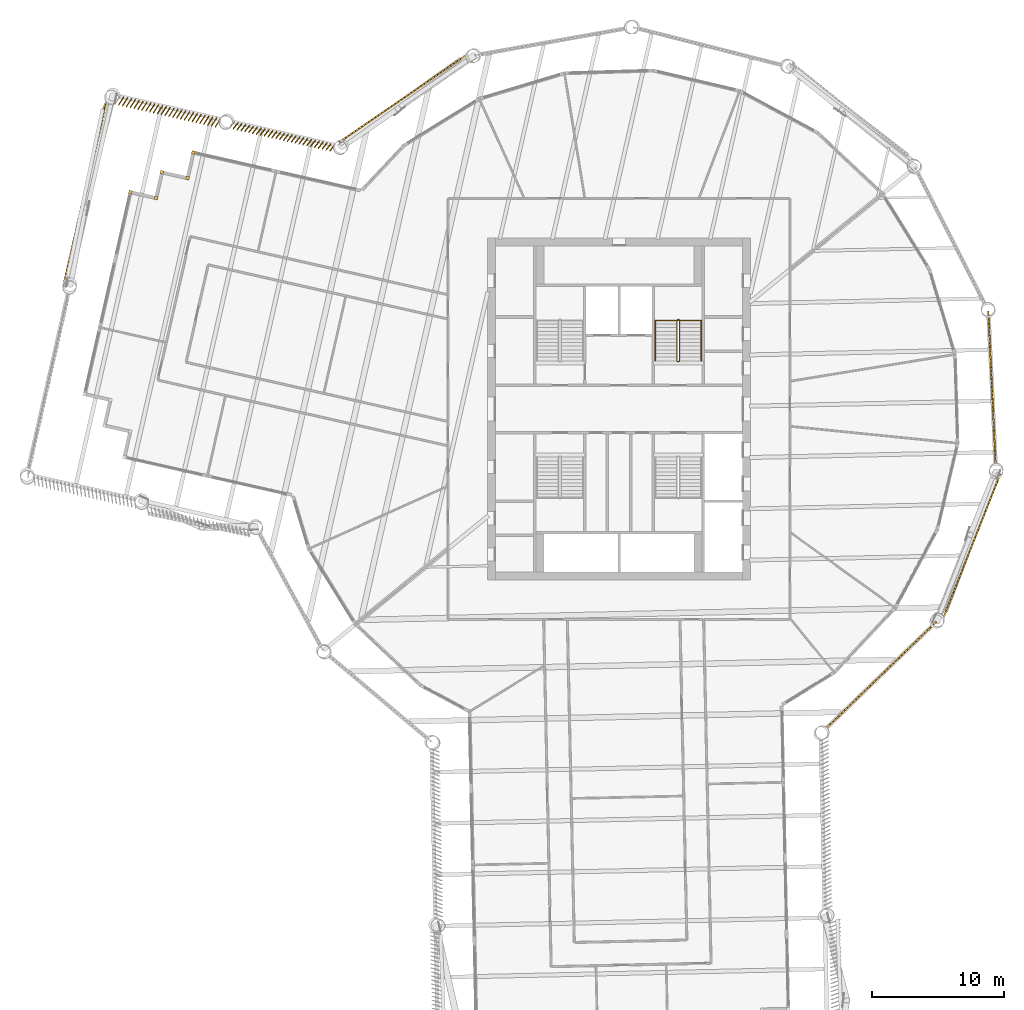
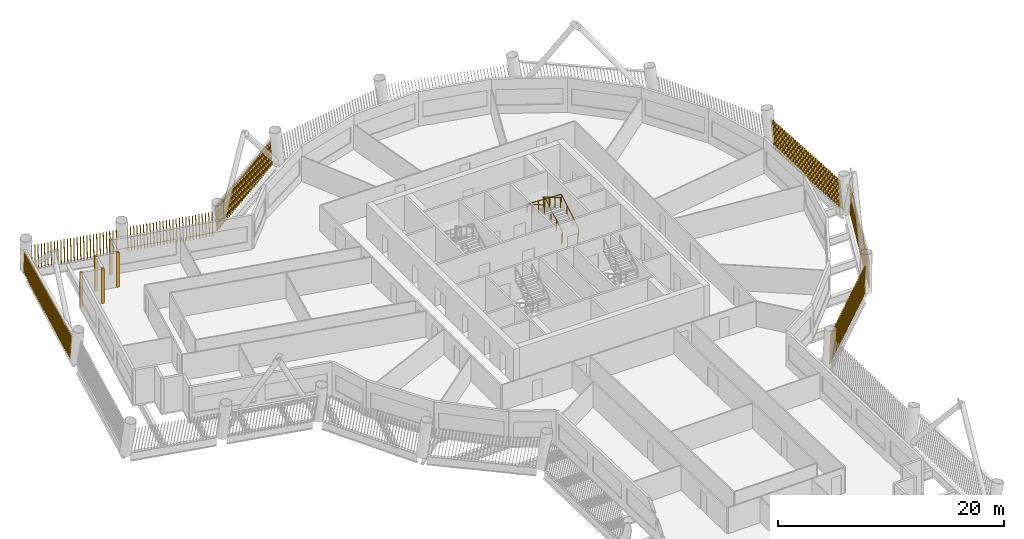
# One storey, part 21 of 23: 12 shading devices, 2 railings.
"""IFC4 building model written with IfcOpenShell, lengths in metres."""

from ifc_helpers import new_model, si_unit, direction, frame, frame_2d, origin, origin_2d, place, context, subcontext, project, spatial, rectangle, circle, composite_profile, extrude, material, type_object, element, save


model = new_model("IFC4")

# Units and contexts
model_context = context("Model", 3, precision=1e-05, world=origin(), true_north=direction((0.0, 1.0)))
body_context = subcontext(model_context, "Body", "Model", "MODEL_VIEW")
ifc_project = project(units=[si_unit("LENGTHUNIT", "METRE"), si_unit("AREAUNIT", "SQUARE_METRE"), si_unit("VOLUMEUNIT", "CUBIC_METRE"), si_unit("PLANEANGLEUNIT", "RADIAN"), si_unit("MASSUNIT", "GRAM", prefix="KILO")], contexts=[model_context])

# Site, building, storey
site_placement = place(None, origin())
site = spatial("IfcSite", under=ifc_project, at=site_placement, CompositionType="ELEMENT")
building_placement = place(site_placement, origin())
building = spatial("IfcBuilding", under=site, at=building_placement, Name="Tarsis Ring Headquarters", CompositionType="ELEMENT")
storey_placement = place(building_placement, frame((0.0, 0.0, 231.60009765625)))
storey = spatial("IfcBuildingStorey", under=building, at=storey_placement, Name="L54", CompositionType="ELEMENT", Elevation=231.60009765625)

# Railings
ifc_material_1 = material(Name="Steel S355", Category="steel")
railing_type_1 = type_object("IfcRailingType", Name="Core stair guard 1100", PredefinedType="GUARDRAIL", material=ifc_material_1)
railing_1_placement = place(storey_placement, frame((4.4599609375, 3.610107421875, 0.0)))
element("IfcRailing", 1, at=railing_1_placement, inside=storey, type_object=railing_type_1, Name="L54 ST2 stair guard 1", PredefinedType="GUARDRAIL", context=body_context, shape_type="SweptSolid", body=[
    extrude(circle(Radius=0.02392578125, at=origin_2d()), frame((0.0, 0.0, 1.076171875), z_axis=(1.0, 0.0, 0.0), x_axis=(0.0, 1.0, 0.0)), (0.0, 0.0, 1.0), 0.080078125),
    extrude(circle(Radius=0.02392578125, at=origin_2d()), frame((0.080078125, 0.0, 1.076171875), z_axis=(0.282693820306, 0.281314826061, 0.917031173188), x_axis=(-0.705375805398, 0.708833529934, 0.0)), (0.0, 0.0, 1.0), 0.177001953125),
    extrude(circle(Radius=0.02392578125, at=origin_2d()), frame((0.130126953125, 0.0498046875, 1.23828125), z_axis=(0.0, 0.864890721111, 0.501960198159), x_axis=(-1.0, 0.0, 0.0)), (0.0, 0.0, 1.0), 3.561279296875),
    extrude(circle(Radius=0.02392578125, at=origin_2d()), frame((0.130126953125, 3.1298828125, 3.02587890625), z_axis=(-0.707106781187, 0.707106781187, 0.0), x_axis=(-0.707106781187, -0.707106781187, 0.0)), (0.0, 0.0, 1.0), 0.07080078125),
    extrude(circle(Radius=0.02392578125, at=origin_2d()), frame((0.080078125, 3.179931640625, 3.02587890625), z_axis=(-1.0, 0.0, 0.0), x_axis=(0.0, -1.0, 0.0)), (0.0, 0.0, 1.0), 0.080078125),
    extrude(circle(Radius=0.02392578125, at=origin_2d()), frame((0.0, 3.179931640625, 3.02587890625), z_axis=(-0.282583949758, -0.282583949758, 0.916674763849), x_axis=(0.707106781187, -0.707106781187, 0.0)), (0.0, 0.0, 1.0), 0.177001953125),
    extrude(circle(Radius=0.02392578125, at=origin_2d()), frame((-0.050048828125, 3.1298828125, 3.1884765625), z_axis=(0.0, -0.864890721111, 0.501960198159), x_axis=(1.0, 0.0, 0.0)), (0.0, 0.0, 1.0), 3.561279296875),
    extrude(circle(Radius=0.02099609375, at=origin_2d()), origin(), (0.0, 0.0, 1.0), 1.052001953125),
    extrude(circle(Radius=0.02099609375, at=origin_2d()), frame((0.080078125, 0.0, 0.0)), (0.0, 0.0, 1.0), 1.052001953125),
    extrude(circle(Radius=0.02099609375, at=origin_2d()), frame((0.130126953125, 0.0498046875, 0.162353515625)), (0.0, 0.0, 1.0), 1.052001953125),
    extrude(circle(Radius=0.02099609375, at=origin_2d()), frame((0.130126953125, 1.076416015625, 0.75830078125)), (0.0, 0.0, 1.0), 1.052001953125),
    extrude(circle(Radius=0.02099609375, at=origin_2d()), frame((0.130126953125, 2.103271484375, 1.35400390625)), (0.0, 0.0, 1.0), 1.052001953125),
    extrude(circle(Radius=0.02099609375, at=origin_2d()), frame((0.130126953125, 3.1298828125, 1.949951171875)), (0.0, 0.0, 1.0), 1.052001953125),
    extrude(circle(Radius=0.02099609375, at=origin_2d()), frame((0.080078125, 3.179931640625, 1.949951171875)), (0.0, 0.0, 1.0), 1.052001953125),
    extrude(circle(Radius=0.02099609375, at=origin_2d()), frame((0.0, 3.179931640625, 1.949951171875)), (0.0, 0.0, 1.0), 1.052001953125),
    extrude(circle(Radius=0.02099609375, at=origin_2d()), frame((-0.050048828125, 3.1298828125, 2.1123046875)), (0.0, 0.0, 1.0), 1.052001953125),
    extrude(circle(Radius=0.02099609375, at=origin_2d()), frame((-0.050048828125, 2.103271484375, 2.708251953125)), (0.0, 0.0, 1.0), 1.052001953125),
    extrude(circle(Radius=0.02099609375, at=origin_2d()), frame((-0.050048828125, 1.076416015625, 3.303955078125)), (0.0, 0.0, 1.0), 1.052001953125),
    extrude(circle(Radius=0.02099609375, at=origin_2d()), frame((-0.050048828125, 0.0498046875, 3.89990234375)), (0.0, 0.0, 1.0), 1.052001953125),
])
railing_type_2 = type_object("IfcRailingType", Name="Core stair handrail 900", PredefinedType="HANDRAIL", material=ifc_material_1)
railing_2_placement = place(storey_placement, frame((6.25, 3.659912109375, 0.162353515625)))
element("IfcRailing", 2, at=railing_2_placement, inside=storey, type_object=railing_type_2, Name="L54 ST2 stair handrail 1", PredefinedType="HANDRAIL", context=body_context, shape_type="SweptSolid", body=[
    extrude(circle(Radius=0.02392578125, at=origin_2d()), frame((0.0, 0.0, 0.8759765625), z_axis=(0.0, 0.864890721111, 0.501960198159), x_axis=(-1.0, 0.0, 0.0)), (0.0, 0.0, 1.0), 3.561279296875),
    extrude(circle(Radius=0.02392578125, at=origin_2d()), frame((0.0, 3.080078125, 2.66357421875), z_axis=(-0.998925869279, 0.0, 0.04633689335), x_axis=(0.0, -1.0, 0.0)), (0.0, 0.0, 1.0), 3.503662109375),
    extrude(circle(Radius=0.02392578125, at=origin_2d()), frame((-3.5, 3.080078125, 2.82568359375), z_axis=(0.0, -0.864890721111, 0.501960198159), x_axis=(1.0, 0.0, 0.0)), (0.0, 0.0, 1.0), 3.561279296875),
    extrude(circle(Radius=0.02099609375, at=origin_2d()), origin(), (0.0, 0.0, 1.0), 0.851806640625),
    extrude(circle(Radius=0.02099609375, at=origin_2d()), frame((0.0, 1.026611328125, 0.595947265625)), (0.0, 0.0, 1.0), 0.851806640625),
    extrude(circle(Radius=0.02099609375, at=origin_2d()), frame((0.0, 2.053466796875, 1.191650390625)), (0.0, 0.0, 1.0), 0.851806640625),
    extrude(circle(Radius=0.02099609375, at=origin_2d()), frame((0.0, 3.080078125, 1.78759765625)), (0.0, 0.0, 1.0), 0.851806640625),
    extrude(circle(Radius=0.02099609375, at=origin_2d()), frame((-1.166748046875, 3.080078125, 1.841796875)), (0.0, 0.0, 1.0), 0.851806640625),
    extrude(circle(Radius=0.02099609375, at=origin_2d()), frame((-2.333251953125, 3.080078125, 1.895751953125)), (0.0, 0.0, 1.0), 0.851806640625),
    extrude(circle(Radius=0.02099609375, at=origin_2d()), frame((-3.5, 3.080078125, 1.949951171875)), (0.0, 0.0, 1.0), 0.851806640625),
    extrude(circle(Radius=0.02099609375, at=origin_2d()), frame((-3.5, 2.053466796875, 2.5458984375)), (0.0, 0.0, 1.0), 0.851806640625),
    extrude(circle(Radius=0.02099609375, at=origin_2d()), frame((-3.5, 1.026611328125, 3.1416015625)), (0.0, 0.0, 1.0), 0.851806640625),
    extrude(circle(Radius=0.02099609375, at=origin_2d()), frame((-3.5, 0.0, 3.737548828125)), (0.0, 0.0, 1.0), 0.851806640625),
])

# Shading devices
ifc_material_2 = material(Name="Terracotta baguette", Category="masonry")
shading_device_type_1 = type_object("IfcShadingDeviceType", Name="Terracotta baguette screen", PredefinedType="USERDEFINED", material=ifc_material_2)
shading_device_1_placement = place(storey_placement, frame((15.69677734375, -24.32177734375, 0.0), z_axis=(0.0, 0.0, 1.0), x_axis=(0.718849701574, 0.695170916983, 0.0)))
element("IfcShadingDevice", 3, at=shading_device_1_placement, inside=storey, type_object=shading_device_type_1, Name="Baguette screen L54-07", ObjectType="Terracotta baguette screen", PredefinedType="USERDEFINED", context=body_context, shape_type="SweptSolid", body=[
    extrude(composite_profile([rectangle(XDim=0.06005859375, YDim=0.1201171875, at=frame_2d((0.030029296875, 0.0))), rectangle(XDim=0.06005859375, YDim=0.1201171875, at=frame_2d((0.33251953125, 0.0))), rectangle(XDim=0.06005859375, YDim=0.1201171875, at=frame_2d((0.634765625, 0.0))), rectangle(XDim=0.06005859375, YDim=0.1201171875, at=frame_2d((0.937255859375, 0.0))), rectangle(XDim=0.06005859375, YDim=0.1201171875, at=frame_2d((1.239501953125, 0.0))), rectangle(XDim=0.06005859375, YDim=0.1201171875, at=frame_2d((1.5419921875, 0.0))), rectangle(XDim=0.06005859375, YDim=0.1201171875, at=frame_2d((1.844482421875, 0.0))), rectangle(XDim=0.06005859375, YDim=0.1201171875, at=frame_2d((2.146728515625, 0.0))), rectangle(XDim=0.06005859375, YDim=0.1201171875, at=frame_2d((2.44921875, 0.0))), rectangle(XDim=0.06005859375, YDim=0.1201171875, at=frame_2d((2.751708984375, 0.0))), rectangle(XDim=0.06005859375, YDim=0.1201171875, at=frame_2d((3.053955078125, 0.0))), rectangle(XDim=0.06005859375, YDim=0.1201171875, at=frame_2d((3.3564453125, 0.0))), rectangle(XDim=0.06005859375, YDim=0.1201171875, at=frame_2d((3.65869140625, 0.0))), rectangle(XDim=0.06005859375, YDim=0.1201171875, at=frame_2d((3.961181640625, 0.0))), rectangle(XDim=0.06005859375, YDim=0.1201171875, at=frame_2d((4.263671875, 0.0))), rectangle(XDim=0.06005859375, YDim=0.1201171875, at=frame_2d((4.56591796875, 0.0))), rectangle(XDim=0.06005859375, YDim=0.1201171875, at=frame_2d((4.868408203125, 0.0))), rectangle(XDim=0.06005859375, YDim=0.1201171875, at=frame_2d((5.1708984375, 0.0))), rectangle(XDim=0.06005859375, YDim=0.1201171875, at=frame_2d((5.47314453125, 0.0))), rectangle(XDim=0.06005859375, YDim=0.1201171875, at=frame_2d((5.775634765625, 0.0))), rectangle(XDim=0.06005859375, YDim=0.1201171875, at=frame_2d((6.077880859375, 0.0))), rectangle(XDim=0.06005859375, YDim=0.1201171875, at=frame_2d((6.38037109375, 0.0))), rectangle(XDim=0.06005859375, YDim=0.1201171875, at=frame_2d((6.682861328125, 0.0))), rectangle(XDim=0.06005859375, YDim=0.1201171875, at=frame_2d((6.985107421875, 0.0))), rectangle(XDim=0.06005859375, YDim=0.1201171875, at=frame_2d((7.28759765625, 0.0))), rectangle(XDim=0.06005859375, YDim=0.1201171875, at=frame_2d((7.590087890625, 0.0))), rectangle(XDim=0.06005859375, YDim=0.1201171875, at=frame_2d((7.892333984375, 0.0))), rectangle(XDim=0.06005859375, YDim=0.1201171875, at=frame_2d((8.19482421875, 0.0))), rectangle(XDim=0.06005859375, YDim=0.1201171875, at=frame_2d((8.4970703125, 0.0))), rectangle(XDim=0.06005859375, YDim=0.1201171875, at=frame_2d((8.799560546875, 0.0))), rectangle(XDim=0.06005859375, YDim=0.1201171875, at=frame_2d((9.10205078125, 0.0))), rectangle(XDim=0.06005859375, YDim=0.1201171875, at=frame_2d((9.404296875, 0.0))), rectangle(XDim=0.06005859375, YDim=0.1201171875, at=frame_2d((9.706787109375, 0.0))), rectangle(XDim=0.06005859375, YDim=0.1201171875, at=frame_2d((10.00927734375, 0.0))), rectangle(XDim=0.06005859375, YDim=0.1201171875, at=frame_2d((10.3115234375, 0.0))), rectangle(XDim=0.06005859375, YDim=0.1201171875, at=frame_2d((10.614013671875, 0.0))), rectangle(XDim=0.06005859375, YDim=0.1201171875, at=frame_2d((10.916259765625, 0.0))), rectangle(XDim=0.06005859375, YDim=0.1201171875, at=frame_2d((11.21875, 0.0)))]), origin(), (0.159216960244, 0.001336075171, 0.987242713052), 2.988037109375),
])
shading_device_2_placement = place(storey_placement, frame((24.67529296875, -15.82763671875, 0.0), z_axis=(0.0, 0.0, 1.0), x_axis=(0.368377645144, 0.929679869778, 0.0)))
element("IfcShadingDevice", 4, at=shading_device_2_placement, inside=storey, type_object=shading_device_type_1, Name="Baguette screen L54-08", ObjectType="Terracotta baguette screen", PredefinedType="USERDEFINED", context=body_context, shape_type="SweptSolid", body=[
    extrude(composite_profile([rectangle(XDim=0.06005859375, YDim=0.1201171875, at=frame_2d((0.030029296875, 0.0))), rectangle(XDim=0.06005859375, YDim=0.1201171875, at=frame_2d((0.33251953125, 0.0))), rectangle(XDim=0.06005859375, YDim=0.1201171875, at=frame_2d((0.634765625, 0.0))), rectangle(XDim=0.06005859375, YDim=0.1201171875, at=frame_2d((0.937255859375, 0.0))), rectangle(XDim=0.06005859375, YDim=0.1201171875, at=frame_2d((1.239501953125, 0.0))), rectangle(XDim=0.06005859375, YDim=0.1201171875, at=frame_2d((1.5419921875, 0.0))), rectangle(XDim=0.06005859375, YDim=0.1201171875, at=frame_2d((1.844482421875, 0.0))), rectangle(XDim=0.06005859375, YDim=0.1201171875, at=frame_2d((2.146728515625, 0.0))), rectangle(XDim=0.06005859375, YDim=0.1201171875, at=frame_2d((2.44921875, 0.0))), rectangle(XDim=0.06005859375, YDim=0.1201171875, at=frame_2d((2.751708984375, 0.0))), rectangle(XDim=0.06005859375, YDim=0.1201171875, at=frame_2d((3.053955078125, 0.0))), rectangle(XDim=0.06005859375, YDim=0.1201171875, at=frame_2d((3.3564453125, 0.0))), rectangle(XDim=0.06005859375, YDim=0.1201171875, at=frame_2d((3.65869140625, 0.0))), rectangle(XDim=0.06005859375, YDim=0.1201171875, at=frame_2d((3.961181640625, 0.0))), rectangle(XDim=0.06005859375, YDim=0.1201171875, at=frame_2d((4.263671875, 0.0))), rectangle(XDim=0.06005859375, YDim=0.1201171875, at=frame_2d((4.56591796875, 0.0))), rectangle(XDim=0.06005859375, YDim=0.1201171875, at=frame_2d((4.868408203125, 0.0))), rectangle(XDim=0.06005859375, YDim=0.1201171875, at=frame_2d((5.1708984375, 0.0))), rectangle(XDim=0.06005859375, YDim=0.1201171875, at=frame_2d((5.47314453125, 0.0))), rectangle(XDim=0.06005859375, YDim=0.1201171875, at=frame_2d((5.775634765625, 0.0))), rectangle(XDim=0.06005859375, YDim=0.1201171875, at=frame_2d((6.077880859375, 0.0))), rectangle(XDim=0.06005859375, YDim=0.1201171875, at=frame_2d((6.38037109375, 0.0))), rectangle(XDim=0.06005859375, YDim=0.1201171875, at=frame_2d((6.682861328125, 0.0))), rectangle(XDim=0.06005859375, YDim=0.1201171875, at=frame_2d((6.985107421875, 0.0))), rectangle(XDim=0.06005859375, YDim=0.1201171875, at=frame_2d((7.28759765625, 0.0))), rectangle(XDim=0.06005859375, YDim=0.1201171875, at=frame_2d((7.590087890625, 0.0))), rectangle(XDim=0.06005859375, YDim=0.1201171875, at=frame_2d((7.892333984375, 0.0))), rectangle(XDim=0.06005859375, YDim=0.1201171875, at=frame_2d((8.19482421875, 0.0))), rectangle(XDim=0.06005859375, YDim=0.1201171875, at=frame_2d((8.4970703125, 0.0))), rectangle(XDim=0.06005859375, YDim=0.1201171875, at=frame_2d((8.799560546875, 0.0))), rectangle(XDim=0.06005859375, YDim=0.1201171875, at=frame_2d((9.10205078125, 0.0))), rectangle(XDim=0.06005859375, YDim=0.1201171875, at=frame_2d((9.404296875, 0.0))), rectangle(XDim=0.06005859375, YDim=0.1201171875, at=frame_2d((9.706787109375, 0.0))), rectangle(XDim=0.06005859375, YDim=0.1201171875, at=frame_2d((10.00927734375, 0.0))), rectangle(XDim=0.06005859375, YDim=0.1201171875, at=frame_2d((10.3115234375, 0.0))), rectangle(XDim=0.06005859375, YDim=0.1201171875, at=frame_2d((10.614013671875, 0.0))), rectangle(XDim=0.06005859375, YDim=0.1201171875, at=frame_2d((10.916259765625, 0.0))), rectangle(XDim=0.06005859375, YDim=0.1201171875, at=frame_2d((11.21875, 0.0)))]), origin(), (0.161265274951, 0.001348935223, 0.986910173962), 2.989013671875),
])
shading_device_3_placement = place(storey_placement, frame((28.630859375, -4.267333984375, 0.0), z_axis=(0.0, 0.0, 1.0), x_axis=(-0.047552902876, 0.998871405317, 0.0)))
element("IfcShadingDevice", 5, at=shading_device_3_placement, inside=storey, type_object=shading_device_type_1, Name="Baguette screen L54-09", ObjectType="Terracotta baguette screen", PredefinedType="USERDEFINED", context=body_context, shape_type="SweptSolid", body=[
    extrude(composite_profile([rectangle(XDim=0.06005859375, YDim=0.1201171875, at=frame_2d((0.030029296875, 0.0))), rectangle(XDim=0.06005859375, YDim=0.1201171875, at=frame_2d((0.33251953125, 0.0))), rectangle(XDim=0.06005859375, YDim=0.1201171875, at=frame_2d((0.634765625, 0.0))), rectangle(XDim=0.06005859375, YDim=0.1201171875, at=frame_2d((0.937255859375, 0.0))), rectangle(XDim=0.06005859375, YDim=0.1201171875, at=frame_2d((1.239501953125, 0.0))), rectangle(XDim=0.06005859375, YDim=0.1201171875, at=frame_2d((1.5419921875, 0.0))), rectangle(XDim=0.06005859375, YDim=0.1201171875, at=frame_2d((1.844482421875, 0.0))), rectangle(XDim=0.06005859375, YDim=0.1201171875, at=frame_2d((2.146728515625, 0.0))), rectangle(XDim=0.06005859375, YDim=0.1201171875, at=frame_2d((2.44921875, 0.0))), rectangle(XDim=0.06005859375, YDim=0.1201171875, at=frame_2d((2.751708984375, 0.0))), rectangle(XDim=0.06005859375, YDim=0.1201171875, at=frame_2d((3.053955078125, 0.0))), rectangle(XDim=0.06005859375, YDim=0.1201171875, at=frame_2d((3.3564453125, 0.0))), rectangle(XDim=0.06005859375, YDim=0.1201171875, at=frame_2d((3.65869140625, 0.0))), rectangle(XDim=0.06005859375, YDim=0.1201171875, at=frame_2d((3.961181640625, 0.0))), rectangle(XDim=0.06005859375, YDim=0.1201171875, at=frame_2d((4.263671875, 0.0))), rectangle(XDim=0.06005859375, YDim=0.1201171875, at=frame_2d((4.56591796875, 0.0))), rectangle(XDim=0.06005859375, YDim=0.1201171875, at=frame_2d((4.868408203125, 0.0))), rectangle(XDim=0.06005859375, YDim=0.1201171875, at=frame_2d((5.1708984375, 0.0))), rectangle(XDim=0.06005859375, YDim=0.1201171875, at=frame_2d((5.47314453125, 0.0))), rectangle(XDim=0.06005859375, YDim=0.1201171875, at=frame_2d((5.775634765625, 0.0))), rectangle(XDim=0.06005859375, YDim=0.1201171875, at=frame_2d((6.077880859375, 0.0))), rectangle(XDim=0.06005859375, YDim=0.1201171875, at=frame_2d((6.38037109375, 0.0))), rectangle(XDim=0.06005859375, YDim=0.1201171875, at=frame_2d((6.682861328125, 0.0))), rectangle(XDim=0.06005859375, YDim=0.1201171875, at=frame_2d((6.985107421875, 0.0))), rectangle(XDim=0.06005859375, YDim=0.1201171875, at=frame_2d((7.28759765625, 0.0))), rectangle(XDim=0.06005859375, YDim=0.1201171875, at=frame_2d((7.590087890625, 0.0))), rectangle(XDim=0.06005859375, YDim=0.1201171875, at=frame_2d((7.892333984375, 0.0))), rectangle(XDim=0.06005859375, YDim=0.1201171875, at=frame_2d((8.19482421875, 0.0))), rectangle(XDim=0.06005859375, YDim=0.1201171875, at=frame_2d((8.4970703125, 0.0))), rectangle(XDim=0.06005859375, YDim=0.1201171875, at=frame_2d((8.799560546875, 0.0))), rectangle(XDim=0.06005859375, YDim=0.1201171875, at=frame_2d((9.10205078125, 0.0))), rectangle(XDim=0.06005859375, YDim=0.1201171875, at=frame_2d((9.404296875, 0.0))), rectangle(XDim=0.06005859375, YDim=0.1201171875, at=frame_2d((9.706787109375, 0.0))), rectangle(XDim=0.06005859375, YDim=0.1201171875, at=frame_2d((10.00927734375, 0.0))), rectangle(XDim=0.06005859375, YDim=0.1201171875, at=frame_2d((10.3115234375, 0.0))), rectangle(XDim=0.06005859375, YDim=0.1201171875, at=frame_2d((10.614013671875, 0.0))), rectangle(XDim=0.06005859375, YDim=0.1201171875, at=frame_2d((10.916259765625, 0.0))), rectangle(XDim=0.06005859375, YDim=0.1201171875, at=frame_2d((11.21875, 0.0)))]), origin(), (0.159216868284, 0.001335742467, 0.987242728333), 2.988037109375),
])
shading_device_4_placement = place(storey_placement, frame((-11.6318359375, 26.90869140625, 0.0), z_axis=(0.0, 0.0, 1.0), x_axis=(-0.824724368435, -0.565522180745, 0.0)))
element("IfcShadingDevice", 6, at=shading_device_4_placement, inside=storey, type_object=shading_device_type_1, Name="Baguette screen L54-14", ObjectType="Terracotta baguette screen", PredefinedType="USERDEFINED", context=body_context, shape_type="SweptSolid", body=[
    extrude(composite_profile([rectangle(XDim=0.06005859375, YDim=0.1201171875, at=frame_2d((0.030029296875, 0.0))), rectangle(XDim=0.06005859375, YDim=0.1201171875, at=frame_2d((0.33251953125, 0.0))), rectangle(XDim=0.06005859375, YDim=0.1201171875, at=frame_2d((0.634765625, 0.0))), rectangle(XDim=0.06005859375, YDim=0.1201171875, at=frame_2d((0.937255859375, 0.0))), rectangle(XDim=0.06005859375, YDim=0.1201171875, at=frame_2d((1.239501953125, 0.0))), rectangle(XDim=0.06005859375, YDim=0.1201171875, at=frame_2d((1.5419921875, 0.0))), rectangle(XDim=0.06005859375, YDim=0.1201171875, at=frame_2d((1.844482421875, 0.0))), rectangle(XDim=0.06005859375, YDim=0.1201171875, at=frame_2d((2.146728515625, 0.0))), rectangle(XDim=0.06005859375, YDim=0.1201171875, at=frame_2d((2.44921875, 0.0))), rectangle(XDim=0.06005859375, YDim=0.1201171875, at=frame_2d((2.751708984375, 0.0))), rectangle(XDim=0.06005859375, YDim=0.1201171875, at=frame_2d((3.053955078125, 0.0))), rectangle(XDim=0.06005859375, YDim=0.1201171875, at=frame_2d((3.3564453125, 0.0))), rectangle(XDim=0.06005859375, YDim=0.1201171875, at=frame_2d((3.65869140625, 0.0))), rectangle(XDim=0.06005859375, YDim=0.1201171875, at=frame_2d((3.961181640625, 0.0))), rectangle(XDim=0.06005859375, YDim=0.1201171875, at=frame_2d((4.263671875, 0.0))), rectangle(XDim=0.06005859375, YDim=0.1201171875, at=frame_2d((4.56591796875, 0.0))), rectangle(XDim=0.06005859375, YDim=0.1201171875, at=frame_2d((4.868408203125, 0.0))), rectangle(XDim=0.06005859375, YDim=0.1201171875, at=frame_2d((5.1708984375, 0.0))), rectangle(XDim=0.06005859375, YDim=0.1201171875, at=frame_2d((5.47314453125, 0.0))), rectangle(XDim=0.06005859375, YDim=0.1201171875, at=frame_2d((5.775634765625, 0.0))), rectangle(XDim=0.06005859375, YDim=0.1201171875, at=frame_2d((6.077880859375, 0.0))), rectangle(XDim=0.06005859375, YDim=0.1201171875, at=frame_2d((6.38037109375, 0.0))), rectangle(XDim=0.06005859375, YDim=0.1201171875, at=frame_2d((6.682861328125, 0.0))), rectangle(XDim=0.06005859375, YDim=0.1201171875, at=frame_2d((6.985107421875, 0.0))), rectangle(XDim=0.06005859375, YDim=0.1201171875, at=frame_2d((7.28759765625, 0.0))), rectangle(XDim=0.06005859375, YDim=0.1201171875, at=frame_2d((7.590087890625, 0.0))), rectangle(XDim=0.06005859375, YDim=0.1201171875, at=frame_2d((7.892333984375, 0.0))), rectangle(XDim=0.06005859375, YDim=0.1201171875, at=frame_2d((8.19482421875, 0.0))), rectangle(XDim=0.06005859375, YDim=0.1201171875, at=frame_2d((8.4970703125, 0.0))), rectangle(XDim=0.06005859375, YDim=0.1201171875, at=frame_2d((8.799560546875, 0.0))), rectangle(XDim=0.06005859375, YDim=0.1201171875, at=frame_2d((9.10205078125, 0.0))), rectangle(XDim=0.06005859375, YDim=0.1201171875, at=frame_2d((9.404296875, 0.0))), rectangle(XDim=0.06005859375, YDim=0.1201171875, at=frame_2d((9.706787109375, 0.0))), rectangle(XDim=0.06005859375, YDim=0.1201171875, at=frame_2d((10.00927734375, 0.0))), rectangle(XDim=0.06005859375, YDim=0.1201171875, at=frame_2d((10.3115234375, 0.0))), rectangle(XDim=0.06005859375, YDim=0.1201171875, at=frame_2d((10.614013671875, 0.0))), rectangle(XDim=0.06005859375, YDim=0.1201171875, at=frame_2d((10.916259765625, 0.0))), rectangle(XDim=0.06005859375, YDim=0.1201171875, at=frame_2d((11.21875, 0.0)))]), origin(), (0.161263673156, 0.0013506796, 0.986910433314), 2.989013671875),
])
shading_device_5_placement = place(storey_placement, frame((-21.596923828125, 20.065673828125, 0.0), z_axis=(0.0, 0.0, 1.0), x_axis=(-0.97531512605, 0.220866287692, 0.0)))
element("IfcShadingDevice", 7, at=shading_device_5_placement, inside=storey, type_object=shading_device_type_1, Name="Baguette screen L54-15", ObjectType="Terracotta baguette screen", PredefinedType="USERDEFINED", context=body_context, shape_type="SweptSolid", body=[
    extrude(composite_profile([rectangle(XDim=0.06005859375, YDim=0.1201171875, at=frame_2d((0.030029296875, 0.0))), rectangle(XDim=0.06005859375, YDim=0.1201171875, at=frame_2d((0.33154296875, 0.0))), rectangle(XDim=0.06005859375, YDim=0.1201171875, at=frame_2d((0.63330078125, 0.0))), rectangle(XDim=0.06005859375, YDim=0.1201171875, at=frame_2d((0.934814453125, 0.0))), rectangle(XDim=0.06005859375, YDim=0.1201171875, at=frame_2d((1.236572265625, 0.0))), rectangle(XDim=0.06005859375, YDim=0.1201171875, at=frame_2d((1.5380859375, 0.0))), rectangle(XDim=0.06005859375, YDim=0.1201171875, at=frame_2d((1.83984375, 0.0))), rectangle(XDim=0.06005859375, YDim=0.1201171875, at=frame_2d((2.141357421875, 0.0))), rectangle(XDim=0.06005859375, YDim=0.1201171875, at=frame_2d((2.443115234375, 0.0))), rectangle(XDim=0.06005859375, YDim=0.1201171875, at=frame_2d((2.74462890625, 0.0))), rectangle(XDim=0.06005859375, YDim=0.1201171875, at=frame_2d((3.04638671875, 0.0))), rectangle(XDim=0.06005859375, YDim=0.1201171875, at=frame_2d((3.347900390625, 0.0))), rectangle(XDim=0.06005859375, YDim=0.1201171875, at=frame_2d((3.649658203125, 0.0))), rectangle(XDim=0.06005859375, YDim=0.1201171875, at=frame_2d((3.951171875, 0.0))), rectangle(XDim=0.06005859375, YDim=0.1201171875, at=frame_2d((4.252685546875, 0.0))), rectangle(XDim=0.06005859375, YDim=0.1201171875, at=frame_2d((4.554443359375, 0.0))), rectangle(XDim=0.06005859375, YDim=0.1201171875, at=frame_2d((4.85595703125, 0.0))), rectangle(XDim=0.06005859375, YDim=0.1201171875, at=frame_2d((5.15771484375, 0.0))), rectangle(XDim=0.06005859375, YDim=0.1201171875, at=frame_2d((5.459228515625, 0.0))), rectangle(XDim=0.06005859375, YDim=0.1201171875, at=frame_2d((5.760986328125, 0.0))), rectangle(XDim=0.06005859375, YDim=0.1201171875, at=frame_2d((6.0625, 0.0))), rectangle(XDim=0.06005859375, YDim=0.1201171875, at=frame_2d((6.3642578125, 0.0))), rectangle(XDim=0.06005859375, YDim=0.1201171875, at=frame_2d((6.665771484375, 0.0))), rectangle(XDim=0.06005859375, YDim=0.1201171875, at=frame_2d((6.967529296875, 0.0))), rectangle(XDim=0.06005859375, YDim=0.1201171875, at=frame_2d((7.26904296875, 0.0))), rectangle(XDim=0.06005859375, YDim=0.1201171875, at=frame_2d((7.57080078125, 0.0))), rectangle(XDim=0.06005859375, YDim=0.1201171875, at=frame_2d((7.872314453125, 0.0)))]), origin(), (0.081246493868, 0.165082054425, 0.98292773007), 3.001220703125),
])
shading_device_6_placement = place(storey_placement, frame((-30.279541015625, 22.03173828125, 0.0), z_axis=(0.0, 0.0, 1.0), x_axis=(-0.975314363395, 0.220873111502, 0.0)))
element("IfcShadingDevice", 8, at=shading_device_6_placement, inside=storey, type_object=shading_device_type_1, Name="Baguette screen L54-16", ObjectType="Terracotta baguette screen", PredefinedType="USERDEFINED", context=body_context, shape_type="SweptSolid", body=[
    extrude(composite_profile([rectangle(XDim=0.06005859375, YDim=0.1201171875, at=frame_2d((0.030029296875, 0.0))), rectangle(XDim=0.06005859375, YDim=0.1201171875, at=frame_2d((0.33154296875, 0.0))), rectangle(XDim=0.06005859375, YDim=0.1201171875, at=frame_2d((0.63330078125, 0.0))), rectangle(XDim=0.06005859375, YDim=0.1201171875, at=frame_2d((0.934814453125, 0.0))), rectangle(XDim=0.06005859375, YDim=0.1201171875, at=frame_2d((1.236572265625, 0.0))), rectangle(XDim=0.06005859375, YDim=0.1201171875, at=frame_2d((1.5380859375, 0.0))), rectangle(XDim=0.06005859375, YDim=0.1201171875, at=frame_2d((1.83984375, 0.0))), rectangle(XDim=0.06005859375, YDim=0.1201171875, at=frame_2d((2.141357421875, 0.0))), rectangle(XDim=0.06005859375, YDim=0.1201171875, at=frame_2d((2.443115234375, 0.0))), rectangle(XDim=0.06005859375, YDim=0.1201171875, at=frame_2d((2.74462890625, 0.0))), rectangle(XDim=0.06005859375, YDim=0.1201171875, at=frame_2d((3.04638671875, 0.0))), rectangle(XDim=0.06005859375, YDim=0.1201171875, at=frame_2d((3.347900390625, 0.0))), rectangle(XDim=0.06005859375, YDim=0.1201171875, at=frame_2d((3.649658203125, 0.0))), rectangle(XDim=0.06005859375, YDim=0.1201171875, at=frame_2d((3.951171875, 0.0))), rectangle(XDim=0.06005859375, YDim=0.1201171875, at=frame_2d((4.252685546875, 0.0))), rectangle(XDim=0.06005859375, YDim=0.1201171875, at=frame_2d((4.554443359375, 0.0))), rectangle(XDim=0.06005859375, YDim=0.1201171875, at=frame_2d((4.85595703125, 0.0))), rectangle(XDim=0.06005859375, YDim=0.1201171875, at=frame_2d((5.15771484375, 0.0))), rectangle(XDim=0.06005859375, YDim=0.1201171875, at=frame_2d((5.459228515625, 0.0))), rectangle(XDim=0.06005859375, YDim=0.1201171875, at=frame_2d((5.760986328125, 0.0))), rectangle(XDim=0.06005859375, YDim=0.1201171875, at=frame_2d((6.0625, 0.0))), rectangle(XDim=0.06005859375, YDim=0.1201171875, at=frame_2d((6.3642578125, 0.0))), rectangle(XDim=0.06005859375, YDim=0.1201171875, at=frame_2d((6.665771484375, 0.0))), rectangle(XDim=0.06005859375, YDim=0.1201171875, at=frame_2d((6.967529296875, 0.0))), rectangle(XDim=0.06005859375, YDim=0.1201171875, at=frame_2d((7.26904296875, 0.0))), rectangle(XDim=0.06005859375, YDim=0.1201171875, at=frame_2d((7.57080078125, 0.0))), rectangle(XDim=0.06005859375, YDim=0.1201171875, at=frame_2d((7.872314453125, 0.0)))]), origin(), (0.080079231574, 0.212788719874, 0.973811212384), 3.029296875),
])
shading_device_7_placement = place(storey_placement, frame((-38.950439453125, 23.48291015625, 0.0), z_axis=(0.0, 0.0, 1.0), x_axis=(-0.220858027421, -0.975302963291, 0.0)))
element("IfcShadingDevice", 9, at=shading_device_7_placement, inside=storey, type_object=shading_device_type_1, Name="Baguette screen L54-17", ObjectType="Terracotta baguette screen", PredefinedType="USERDEFINED", context=body_context, shape_type="SweptSolid", body=[
    extrude(composite_profile([rectangle(XDim=0.06005859375, YDim=0.1201171875, at=frame_2d((0.030029296875, 0.0))), rectangle(XDim=0.06005859375, YDim=0.1201171875, at=frame_2d((0.33544921875, 0.0))), rectangle(XDim=0.06005859375, YDim=0.1201171875, at=frame_2d((0.640625, 0.0))), rectangle(XDim=0.06005859375, YDim=0.1201171875, at=frame_2d((0.946044921875, 0.0))), rectangle(XDim=0.06005859375, YDim=0.1201171875, at=frame_2d((1.25146484375, 0.0))), rectangle(XDim=0.06005859375, YDim=0.1201171875, at=frame_2d((1.556640625, 0.0))), rectangle(XDim=0.06005859375, YDim=0.1201171875, at=frame_2d((1.862060546875, 0.0))), rectangle(XDim=0.06005859375, YDim=0.1201171875, at=frame_2d((2.16748046875, 0.0))), rectangle(XDim=0.06005859375, YDim=0.1201171875, at=frame_2d((2.47265625, 0.0))), rectangle(XDim=0.06005859375, YDim=0.1201171875, at=frame_2d((2.778076171875, 0.0))), rectangle(XDim=0.06005859375, YDim=0.1201171875, at=frame_2d((3.08349609375, 0.0))), rectangle(XDim=0.06005859375, YDim=0.1201171875, at=frame_2d((3.388671875, 0.0))), rectangle(XDim=0.06005859375, YDim=0.1201171875, at=frame_2d((3.694091796875, 0.0))), rectangle(XDim=0.06005859375, YDim=0.1201171875, at=frame_2d((3.99951171875, 0.0))), rectangle(XDim=0.06005859375, YDim=0.1201171875, at=frame_2d((4.3046875, 0.0))), rectangle(XDim=0.06005859375, YDim=0.1201171875, at=frame_2d((4.610107421875, 0.0))), rectangle(XDim=0.06005859375, YDim=0.1201171875, at=frame_2d((4.91552734375, 0.0))), rectangle(XDim=0.06005859375, YDim=0.1201171875, at=frame_2d((5.220703125, 0.0))), rectangle(XDim=0.06005859375, YDim=0.1201171875, at=frame_2d((5.526123046875, 0.0))), rectangle(XDim=0.06005859375, YDim=0.1201171875, at=frame_2d((5.83154296875, 0.0))), rectangle(XDim=0.06005859375, YDim=0.1201171875, at=frame_2d((6.13671875, 0.0))), rectangle(XDim=0.06005859375, YDim=0.1201171875, at=frame_2d((6.442138671875, 0.0))), rectangle(XDim=0.06005859375, YDim=0.1201171875, at=frame_2d((6.74755859375, 0.0))), rectangle(XDim=0.06005859375, YDim=0.1201171875, at=frame_2d((7.052734375, 0.0))), rectangle(XDim=0.06005859375, YDim=0.1201171875, at=frame_2d((7.358154296875, 0.0))), rectangle(XDim=0.06005859375, YDim=0.1201171875, at=frame_2d((7.66357421875, 0.0))), rectangle(XDim=0.06005859375, YDim=0.1201171875, at=frame_2d((7.96875, 0.0))), rectangle(XDim=0.06005859375, YDim=0.1201171875, at=frame_2d((8.274169921875, 0.0))), rectangle(XDim=0.06005859375, YDim=0.1201171875, at=frame_2d((8.57958984375, 0.0))), rectangle(XDim=0.06005859375, YDim=0.1201171875, at=frame_2d((8.884765625, 0.0))), rectangle(XDim=0.06005859375, YDim=0.1201171875, at=frame_2d((9.190185546875, 0.0))), rectangle(XDim=0.06005859375, YDim=0.1201171875, at=frame_2d((9.49560546875, 0.0))), rectangle(XDim=0.06005859375, YDim=0.1201171875, at=frame_2d((9.80078125, 0.0))), rectangle(XDim=0.06005859375, YDim=0.1201171875, at=frame_2d((10.106201171875, 0.0))), rectangle(XDim=0.06005859375, YDim=0.1201171875, at=frame_2d((10.41162109375, 0.0))), rectangle(XDim=0.06005859375, YDim=0.1201171875, at=frame_2d((10.716796875, 0.0))), rectangle(XDim=0.06005859375, YDim=0.1201171875, at=frame_2d((11.022216796875, 0.0))), rectangle(XDim=0.06005859375, YDim=0.1201171875, at=frame_2d((11.32763671875, 0.0))), rectangle(XDim=0.06005859375, YDim=0.1201171875, at=frame_2d((11.6328125, 0.0))), rectangle(XDim=0.06005859375, YDim=0.1201171875, at=frame_2d((11.938232421875, 0.0))), rectangle(XDim=0.06005859375, YDim=0.1201171875, at=frame_2d((12.24365234375, 0.0))), rectangle(XDim=0.06005859375, YDim=0.1201171875, at=frame_2d((12.548828125, 0.0))), rectangle(XDim=0.06005859375, YDim=0.1201171875, at=frame_2d((12.854248046875, 0.0))), rectangle(XDim=0.06005859375, YDim=0.1201171875, at=frame_2d((13.15966796875, 0.0))), rectangle(XDim=0.06005859375, YDim=0.1201171875, at=frame_2d((13.46484375, 0.0))), rectangle(XDim=0.06005859375, YDim=0.1201171875, at=frame_2d((13.770263671875, 0.0)))]), origin(), (0.23830070227, -0.038793600905, 0.970416318817), 3.039794921875),
])
shading_device_type_2 = type_object("IfcShadingDeviceType", Name="Terracotta corner baguette 250x250", PredefinedType="USERDEFINED", material=ifc_material_2)
for number, where, z_axis, x_axis, name in (
    (10, (-32.3662109375, 19.50537109375, 0.0), (0.0, 0.0, 1.0), (-0.975303802104, 0.220867592918, 0.0), "Corner baguette L54-32"),
    (11, (-32.807861328125, 17.5546875, 0.0), (0.0, 0.0, 1.0), (-0.220867933364, -0.975303725007, 0.0), "Corner baguette L54-33"),
    (12, (-34.758544921875, 17.99658203125, 0.0), (0.0, 0.0, 1.0), (-0.975303805959, 0.220867575896, 0.0), "Corner baguette L54-34"),
    (13, (-35.2001953125, 16.0458984375, 0.0), (0.0, 0.0, 1.0), (-0.220867575896, -0.975303805959, 0.0), "Corner baguette L54-35"),
    (14, (-37.15087890625, 16.487548828125, 0.0), (0.0, 0.0, 1.0), (-0.975303725007, 0.220867933364, 0.0), "Corner baguette L54-36"),
):
    element("IfcShadingDevice", number, at=place(storey_placement, frame(where, z_axis=z_axis, x_axis=x_axis)), inside=storey, type_object=shading_device_type_2, Name=name, ObjectType="Terracotta corner baguette", PredefinedType="USERDEFINED", context=body_context, shape_type="SweptSolid", body=[
        extrude(rectangle(XDim=0.25, YDim=0.25, at=origin_2d()), origin(), (0.0, 0.0, 1.0), 3.739990234375),
    ])

save(model, "model.ifc")
